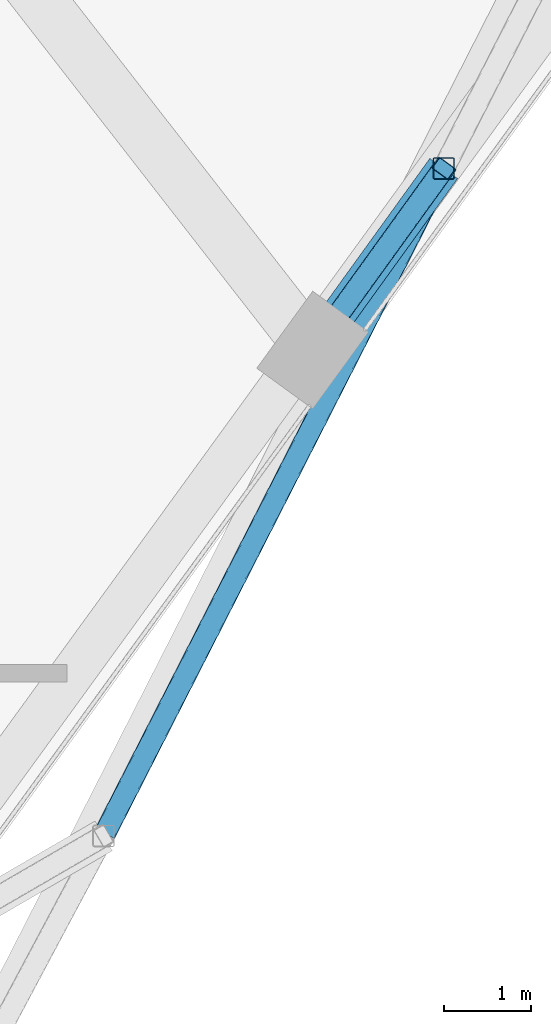
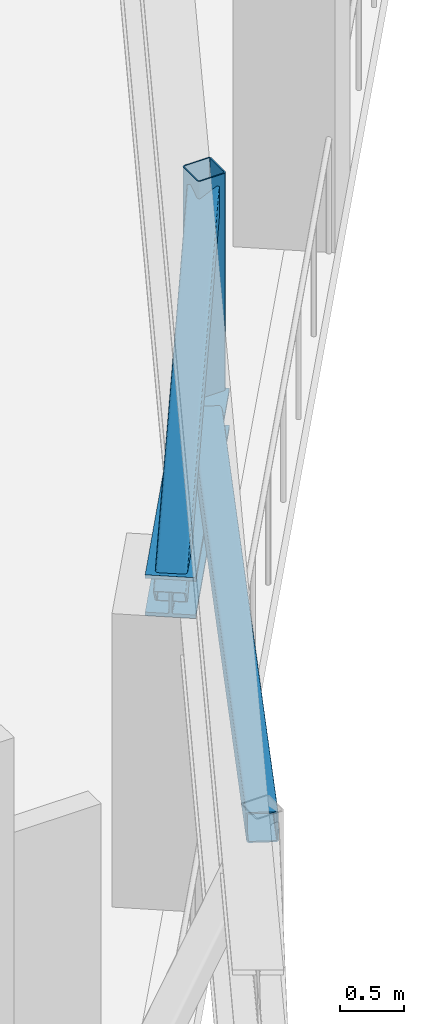
# One storey, part 5 of 20: 4 members.
"""IFC4 building model written with IfcOpenShell, lengths in metres."""

from ifc_helpers import new_model, si_unit, direction, frame, origin, origin_2d, place, context, subcontext, project, spatial, hollow_rectangle, i_section, extrude, material, material_profile, profile_set, type_object, element, save


model = new_model("IFC4")

# Units and contexts
model_context = context("Model", 3, precision=1e-05, world=origin(), true_north=direction((0.0, 1.0)))
body_context = subcontext(model_context, "Body", "Model", "MODEL_VIEW")
ifc_project = project(units=[si_unit("LENGTHUNIT", "METRE"), si_unit("AREAUNIT", "SQUARE_METRE"), si_unit("VOLUMEUNIT", "CUBIC_METRE"), si_unit("PLANEANGLEUNIT", "RADIAN"), si_unit("MASSUNIT", "GRAM", prefix="KILO")], contexts=[model_context])

# Site, building, storey
site_placement = place(None, origin())
site = spatial("IfcSite", under=ifc_project, at=site_placement, CompositionType="ELEMENT")
building_placement = place(site_placement, origin())
building = spatial("IfcBuilding", under=site, at=building_placement, Name="Tramontana Tower", CompositionType="ELEMENT")
storey_placement = place(building_placement, frame((0.0, 0.0, 269.199951171875)))
storey = spatial("IfcBuildingStorey", under=building, at=storey_placement, Name="L63", CompositionType="ELEMENT", Elevation=269.199951171875)

# Members
ifc_material_1 = material(Name="Steel ASTM A500 Grade C", Category="steel")
ifc_material_profile_1 = material_profile(ifc_material_1, hollow_rectangle(XDim=0.25390625, YDim=0.25390625, WallThickness=0.01171875, InnerFilletRadius=0.01171875, OuterFilletRadius=0.023681640625, at=origin_2d()), Name="HSS10X10X1/2")
ifc_profile_set_1 = profile_set([ifc_material_profile_1], Name="Steel ASTM A500 Grade C")
member_type_1 = type_object("IfcMemberType", Name="Belt truss HSS10X10X1/2 brace", PredefinedType="BRACE", material=ifc_profile_set_1)
member_1_placement = place(storey_placement, frame((7.556640625, -18.4296875, 4.65625), z_axis=(0.441637174518, 0.866765060719, -0.23167851778), x_axis=(-0.891007223871, 0.453989126533, 0.0)))
element("IfcMember", 1, at=member_1_placement, inside=storey, type_object=member_type_1, Name="Belt truss diagonal S1.2", PredefinedType="BRACE", context=body_context, shape_type="SweptSolid", body=[
    extrude(hollow_rectangle(XDim=0.25390625, YDim=0.25390625, WallThickness=0.01171875, InnerFilletRadius=0.01171875, OuterFilletRadius=0.023681640625, at=origin_2d()), origin(), (0.0, 0.0, 1.0), 8.90234375),
])
ifc_material_2 = material(Name="Steel ASTM A500 Grade C", Category="steel")
ifc_material_profile_2 = material_profile(ifc_material_2, hollow_rectangle(XDim=0.25390625, YDim=0.25390625, WallThickness=0.01171875, InnerFilletRadius=0.01171875, OuterFilletRadius=0.023681640625, at=origin_2d()), Name="HSS10X10X1/2")
ifc_profile_set_2 = profile_set([ifc_material_profile_2], Name="Steel ASTM A500 Grade C")
member_type_2 = type_object("IfcMemberType", Name="Belt truss HSS10X10X1/2 post", PredefinedType="POST", material=ifc_profile_set_2)
member_2_placement = place(storey_placement, frame((11.48828125, -10.71337890625, 2.787353515625), z_axis=(0.0, 0.0, 1.0), x_axis=(1.0, 0.0, 0.0)))
element("IfcMember", 2, at=member_2_placement, inside=storey, type_object=member_type_2, Name="Belt truss post C7F06", PredefinedType="POST", context=body_context, shape_type="SweptSolid", body=[
    extrude(hollow_rectangle(XDim=0.25390625, YDim=0.25390625, WallThickness=0.01171875, InnerFilletRadius=0.01171875, OuterFilletRadius=0.023681640625, at=origin_2d()), origin(), (0.0, 0.0, 1.0), 2.062744140625),
])
ifc_material_3 = material(Name="Steel ASTM A500 Grade C", Category="steel")
ifc_material_profile_3 = material_profile(ifc_material_3, hollow_rectangle(XDim=0.25390625, YDim=0.25390625, WallThickness=0.01171875, InnerFilletRadius=0.01171875, OuterFilletRadius=0.023681640625, at=origin_2d()), Name="HSS10X10X1/2")
ifc_profile_set_3 = profile_set([ifc_material_profile_3], Name="Steel ASTM A500 Grade C")
member_type_3 = type_object("IfcMemberType", Name="Transfer truss HSS10X10X1/2 brace", PredefinedType="BRACE", material=ifc_profile_set_3)
member_3_placement = place(storey_placement, frame((9.9736328125, -12.812744140625, 2.59375), z_axis=(0.457612323228, 0.634269562772, 0.623131674183), x_axis=(-0.810965120143, 0.585094499984, 0.0)))
element("IfcMember", 3, at=member_3_placement, inside=storey, type_object=member_type_3, Name="Transfer truss strut C7F06 diagonal", PredefinedType="BRACE", context=body_context, shape_type="SweptSolid", body=[
    extrude(hollow_rectangle(XDim=0.25390625, YDim=0.25390625, WallThickness=0.01171875, InnerFilletRadius=0.01171875, OuterFilletRadius=0.023681640625, at=origin_2d()), origin(), (0.0, 0.0, 1.0), 3.309814453125),
])
ifc_material_4 = material(Name="Steel ASTM A992 Grade 50", Category="steel")
ifc_material_profile_4 = material_profile(ifc_material_4, i_section(OverallWidth=0.39697265625, OverallDepth=0.387451171875, WebThickness=0.020751953125, FlangeThickness=0.033447265625, FilletRadius=0.01513671875, at=origin_2d()), Name="W14X176")
ifc_profile_set_4 = profile_set([ifc_material_profile_4], Name="Steel ASTM A992 Grade 50")
member_type_4 = type_object("IfcMemberType", Name="Transfer truss W14X176 strut", PredefinedType="STRUT", material=ifc_profile_set_4)
member_4_placement = place(storey_placement, frame((9.9736328125, -12.812744140625, 2.59375), z_axis=(0.585094499984, 0.810965120143, 0.0), x_axis=(-0.810965120143, 0.585094499984, 0.0)))
element("IfcMember", 4, at=member_4_placement, inside=storey, type_object=member_type_4, Name="Transfer truss strut C7F06 bottom", PredefinedType="STRUT", context=body_context, shape_type="SweptSolid", body=[
    extrude(i_section(OverallWidth=0.39697265625, OverallDepth=0.387451171875, WebThickness=0.020751953125, FlangeThickness=0.033447265625, FilletRadius=0.01513671875, at=origin_2d()), origin(), (0.0, 0.0, 1.0), 2.588623046875),
])

save(model, "model.ifc")
